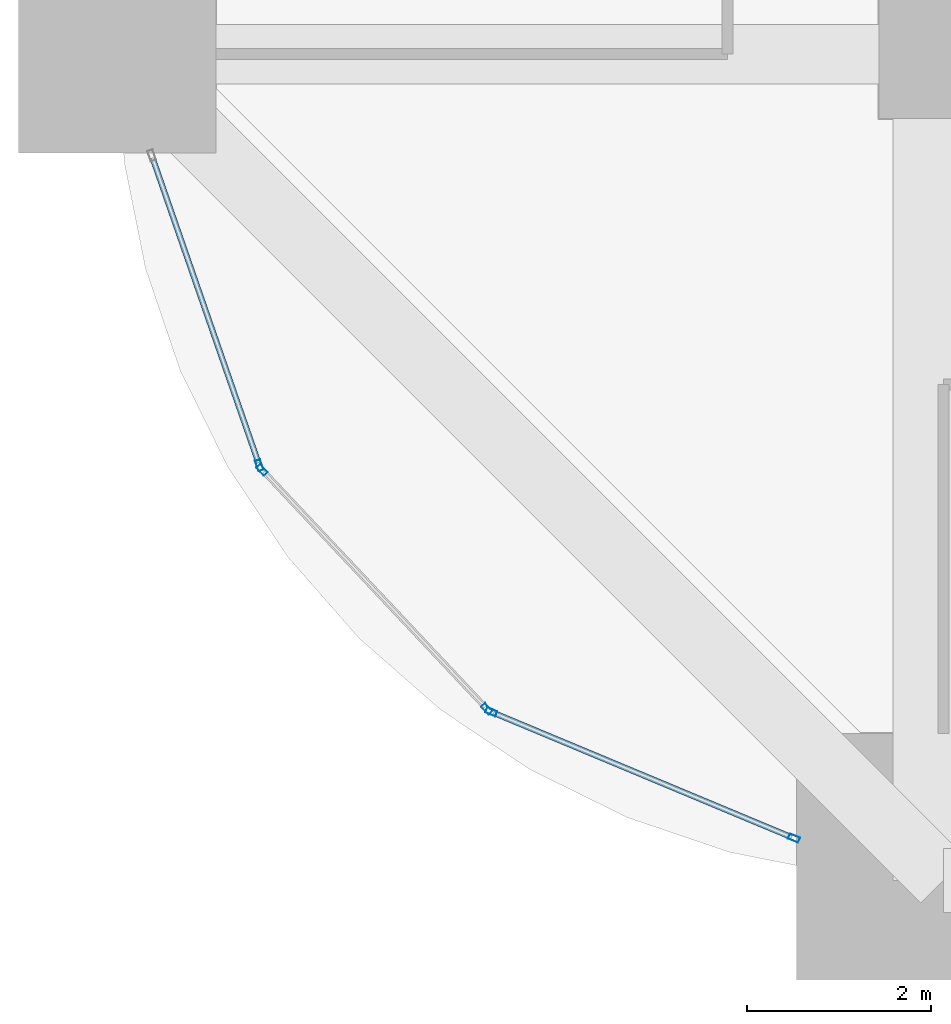
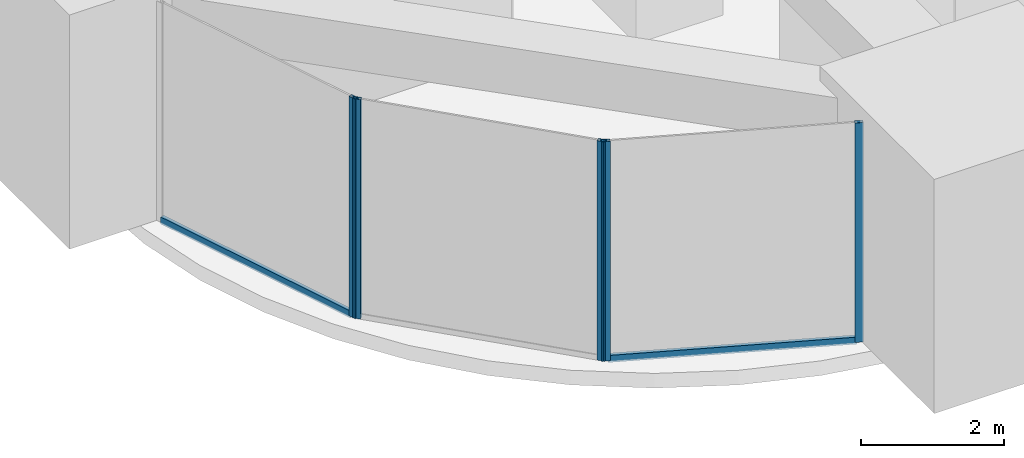
# One storey, part 2 of 43: 7 members, 3 elements without a shape of their own.
"""IFC4 building model written with IfcOpenShell, lengths in metres."""

from ifc_helpers import new_model, si_unit, direction, frame, origin, origin_2d, place, context, subcontext, project, spatial, hollow_rectangle, extrude, material, material_profile, profile_set, type_object, element, aggregate, save


model = new_model("IFC4")

# Units and contexts
model_context = context("Model", 3, precision=1e-05, world=origin(), true_north=direction((0.0, 1.0)))
body_context = subcontext(model_context, "Body", "Model", "MODEL_VIEW")
ifc_project = project(units=[si_unit("LENGTHUNIT", "METRE"), si_unit("AREAUNIT", "SQUARE_METRE"), si_unit("VOLUMEUNIT", "CUBIC_METRE"), si_unit("PLANEANGLEUNIT", "RADIAN"), si_unit("MASSUNIT", "GRAM", prefix="KILO")], contexts=[model_context])

# Site, building, storey
site_placement = place(None, origin())
site = spatial("IfcSite", under=ifc_project, at=site_placement, CompositionType="ELEMENT")
building_placement = place(site_placement, origin())
building = spatial("IfcBuilding", under=site, at=building_placement, Name="Zorevar Civic Tower", CompositionType="ELEMENT")
storey_placement = place(building_placement, frame((0.0, 0.0, 243.39990234375)))
storey = spatial("IfcBuildingStorey", under=building, at=storey_placement, Name="L59", CompositionType="ELEMENT", Elevation=243.39990234375)

# Curtain wall, member
ifc_material_1 = material(Name="Dark grey solar-control glass in black aluminium frame", Category="aluminium")
curtain_wall_type = type_object("IfcCurtainWallType", Name="Curtain wall CW5 top zone", PredefinedType="NOTDEFINED", material=ifc_material_1)
curtain_wall_1_placement = place(storey_placement, origin())
curtain_wall_1 = element("IfcCurtainWall", 1, at=curtain_wall_1_placement, inside=storey, type_object=curtain_wall_type, Name="CW5 L59", PredefinedType="NOTDEFINED")
ifc_material_2 = material(Name="Aluminium, black anodised", Category="aluminium")
ifc_material_profile_1 = material_profile(ifc_material_2, hollow_rectangle(XDim=0.06005859375, YDim=0.1201171875, WallThickness=0.0029296875, at=origin_2d()), Name="AL 120x60x3")
ifc_profile_set_1 = profile_set([ifc_material_profile_1], Name="Aluminium, black anodised")
member_type_1 = type_object("IfcMemberType", Name="CW5 mullion AL 120x60x3", PredefinedType="MULLION", material=ifc_profile_set_1)
member_1_placement = place(storey_placement, frame((10.548583984375, 4.521728515625, 0.0), z_axis=(0.0, 0.0, 1.0), x_axis=(0.944668547413, 0.328026425047, 0.0)))
member_1 = element("IfcMember", 2, at=member_1_placement, type_object=member_type_1, Name="CW5 mullion 2", PredefinedType="MULLION", context=body_context, shape_type="SweptSolid", body=[
    extrude(hollow_rectangle(XDim=0.06005859375, YDim=0.1201171875, WallThickness=0.0029296875, at=origin_2d()), origin(), (0.0, 0.0, 1.0), 3.75),
])

# Curtain wall, members
curtain_wall_2_placement = place(storey_placement, origin())
curtain_wall_2 = element("IfcCurtainWall", 3, at=curtain_wall_2_placement, inside=storey, type_object=curtain_wall_type, Name="CW5 L59", PredefinedType="NOTDEFINED")
member_2_placement = place(storey_placement, frame((10.578857421875, 4.471435546875, 0.0), z_axis=(0.0, 0.0, 1.0), x_axis=(0.728369181253, 0.68518489169, 0.0)))
member_2 = element("IfcMember", 4, at=member_2_placement, type_object=member_type_1, Name="CW5 mullion 1", PredefinedType="MULLION", context=body_context, shape_type="SweptSolid", body=[
    extrude(hollow_rectangle(XDim=0.06005859375, YDim=0.1201171875, WallThickness=0.0029296875, at=origin_2d()), origin(), (0.0, 0.0, 1.0), 3.75),
])
member_3_placement = place(storey_placement, frame((13.02685546875, 1.869140625, 0.0), z_axis=(0.0, 0.0, 1.0), x_axis=(0.728369181253, 0.68518489169, 0.0)))
member_3 = element("IfcMember", 5, at=member_3_placement, type_object=member_type_1, Name="CW5 mullion 2", PredefinedType="MULLION", context=body_context, shape_type="SweptSolid", body=[
    extrude(hollow_rectangle(XDim=0.06005859375, YDim=0.1201171875, WallThickness=0.0029296875, at=origin_2d()), origin(), (0.0, 0.0, 1.0), 3.75),
])
aggregate(curtain_wall_2, [member_2, member_3])

curtain_wall_3_placement = place(storey_placement, origin())
curtain_wall_3 = element("IfcCurtainWall", 6, at=curtain_wall_3_placement, inside=storey, type_object=curtain_wall_type, Name="CW5 L59", PredefinedType="NOTDEFINED")
member_4_placement = place(storey_placement, frame((13.0751953125, 1.835693359375, 0.0), z_axis=(0.0, 0.0, 1.0), x_axis=(0.385080457954, 0.922883004992, 0.0)))
member_4 = element("IfcMember", 7, at=member_4_placement, type_object=member_type_1, Name="CW5 mullion 1", PredefinedType="MULLION", context=body_context, shape_type="SweptSolid", body=[
    extrude(hollow_rectangle(XDim=0.06005859375, YDim=0.1201171875, WallThickness=0.0029296875, at=origin_2d()), origin(), (0.0, 0.0, 1.0), 3.75),
])
member_5_placement = place(storey_placement, frame((16.372314453125, 0.4599609375, 0.0), z_axis=(0.0, 0.0, 1.0), x_axis=(0.385080457954, 0.922883004992, 0.0)))
member_5 = element("IfcMember", 8, at=member_5_placement, type_object=member_type_1, Name="CW5 mullion 2", PredefinedType="MULLION", context=body_context, shape_type="SweptSolid", body=[
    extrude(hollow_rectangle(XDim=0.06005859375, YDim=0.1201171875, WallThickness=0.0029296875, at=origin_2d()), origin(), (0.0, 0.0, 1.0), 3.75),
])

# Member
ifc_material_3 = material(Name="Aluminium, black anodised", Category="aluminium")
ifc_material_profile_2 = material_profile(ifc_material_3, hollow_rectangle(XDim=0.06005859375, YDim=0.1201171875, WallThickness=0.0029296875, at=origin_2d()), Name="AL 120x60x3")
ifc_profile_set_2 = profile_set([ifc_material_profile_2], Name="Aluminium, black anodised")
member_type_2 = type_object("IfcMemberType", Name="CW5 transom AL 120x60x3", PredefinedType="USERDEFINED", material=ifc_profile_set_2)
member_6_placement = place(storey_placement, frame((9.386474609375, 7.868408203125, 0.030029296875), z_axis=(0.327984122184, -0.944683235585, 0.0), x_axis=(0.944683235585, 0.327984122184, 0.0)))
member_6 = element("IfcMember", 9, at=member_6_placement, type_object=member_type_2, Name="CW5 sill transom", ObjectType="TRANSOM", PredefinedType="USERDEFINED", context=body_context, shape_type="SweptSolid", body=[
    extrude(hollow_rectangle(XDim=0.06005859375, YDim=0.1201171875, WallThickness=0.0029296875, at=origin_2d()), origin(), (0.0, 0.0, 1.0), 3.5126953125),
])

aggregate(curtain_wall_1, [member_1, member_6])

member_7_placement = place(storey_placement, frame((13.102783203125, 1.82421875, 0.030029296875), z_axis=(0.922877349142, -0.385094012471, 0.0), x_axis=(0.385094012471, 0.922877349142, 0.0)))
member_7 = element("IfcMember", 10, at=member_7_placement, type_object=member_type_2, Name="CW5 sill transom", ObjectType="TRANSOM", PredefinedType="USERDEFINED", context=body_context, shape_type="SweptSolid", body=[
    extrude(hollow_rectangle(XDim=0.06005859375, YDim=0.1201171875, WallThickness=0.0029296875, at=origin_2d()), origin(), (0.0, 0.0, 1.0), 3.512939453125),
])

aggregate(curtain_wall_3, [member_4, member_5, member_7])

save(model, "model.ifc")
